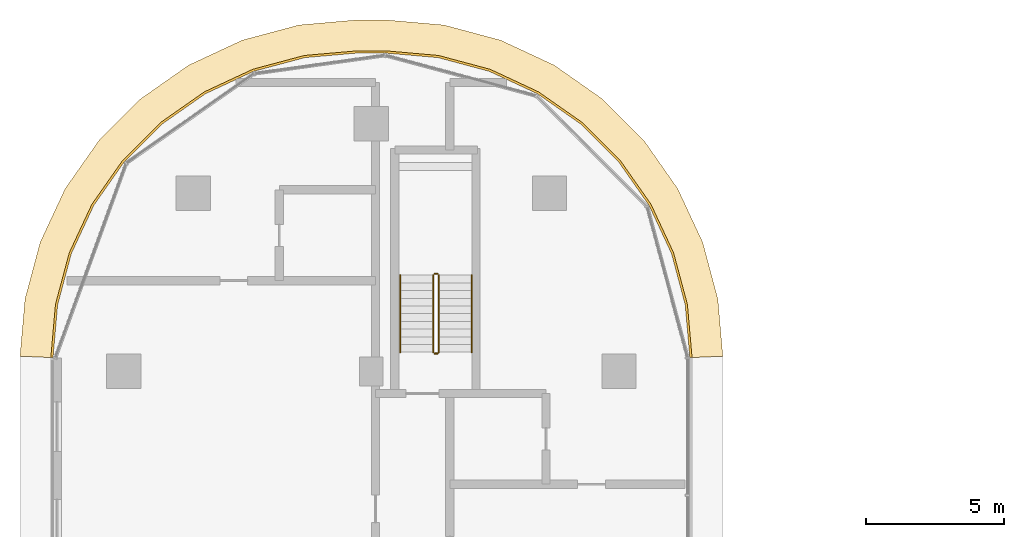
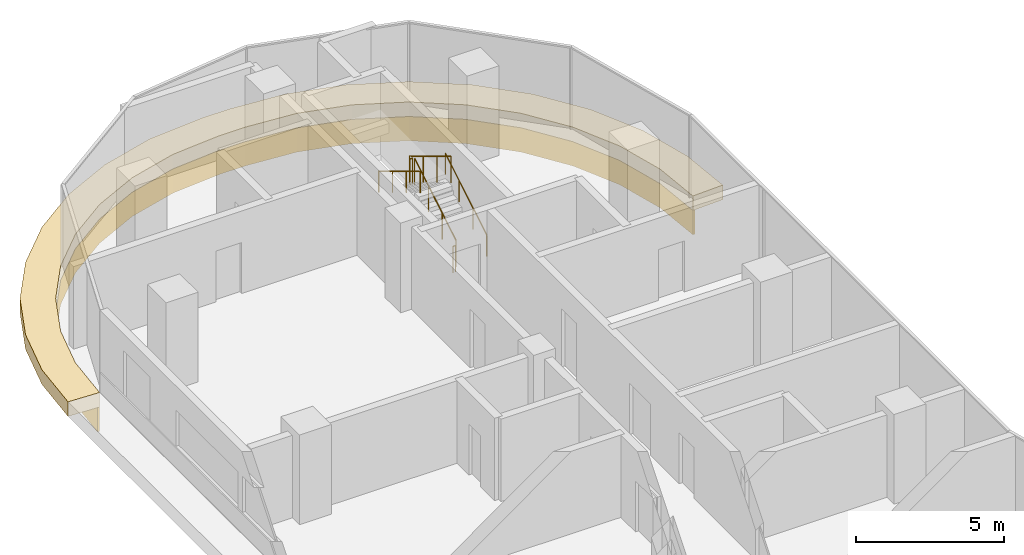
# One storey, part 24 of 25: 6 railings, 2 coverings.
"""IFC4 building model written with IfcOpenShell, lengths in metres."""

from ifc_helpers import new_model, si_unit, direction, frame, origin, origin_2d, place, context, subcontext, project, spatial, polyline, circle, outline, extrude, material, layer, layer_set, type_object, element, save


model = new_model("IFC4")

# Units and contexts
model_context = context("Model", 3, precision=1e-05, world=origin(), true_north=direction((0.0, 1.0)))
body_context = subcontext(model_context, "Body", "Model", "MODEL_VIEW")
ifc_project = project(units=[si_unit("LENGTHUNIT", "METRE"), si_unit("AREAUNIT", "SQUARE_METRE"), si_unit("VOLUMEUNIT", "CUBIC_METRE"), si_unit("PLANEANGLEUNIT", "RADIAN"), si_unit("MASSUNIT", "GRAM", prefix="KILO")], contexts=[model_context])

# Site, building, storey
site_placement = place(None, origin())
site = spatial("IfcSite", under=ifc_project, at=site_placement, CompositionType="ELEMENT")
building_placement = place(site_placement, origin())
building = spatial("IfcBuilding", under=site, at=building_placement, Name="Ogive Portal Towers", CompositionType="ELEMENT")
storey_placement = place(building_placement, frame((0.0, 0.0, 116.699951171875)))
storey = spatial("IfcBuildingStorey", under=building, at=storey_placement, Name="L28", CompositionType="ELEMENT", Elevation=116.699951171875)

# Railings
ifc_material_1 = material(Name="Stainless steel balustrade", Category="steel")
railing_type_1 = type_object("IfcRailingType", Name="INT-GUARD", PredefinedType="GUARDRAIL", material=ifc_material_1)
railing_1_placement = place(storey_placement, frame((42.949951171875, 67.199951171875, 0.168212890625)))
element("IfcRailing", 1, at=railing_1_placement, inside=storey, type_object=railing_type_1, Name="L28 ST-A3 stair guard 1", PredefinedType="GUARDRAIL", context=body_context, shape_type="SweptSolid", body=[
    extrude(circle(Radius=0.02392578125, at=origin_2d()), frame((0.0, 0.0, 1.076171875), z_axis=(0.0, 0.857242210791, 0.514913383045), x_axis=(-1.0, 0.0, 0.0)), (0.0, 0.0, 1.0), 3.266357421875),
    extrude(circle(Radius=0.02099609375, at=origin_2d()), origin(), (0.0, 0.0, 1.0), 1.052001953125),
    extrude(circle(Radius=0.02099609375, at=origin_2d()), frame((0.0, 0.933349609375, 0.560546875)), (0.0, 0.0, 1.0), 1.052001953125),
    extrude(circle(Radius=0.02099609375, at=origin_2d()), frame((0.0, 1.86669921875, 1.121337890625)), (0.0, 0.0, 1.0), 1.052001953125),
    extrude(circle(Radius=0.02099609375, at=origin_2d()), frame((0.0, 2.800048828125, 1.681884765625)), (0.0, 0.0, 1.0), 1.052001953125),
])
railing_2_placement = place(storey_placement, frame((42.89990234375, 70.050048828125, 1.85009765625)))
element("IfcRailing", 2, at=railing_2_placement, inside=storey, type_object=railing_type_1, Name="L28 ST-A3 stair guard 2", PredefinedType="GUARDRAIL", context=body_context, shape_type="SweptSolid", body=[
    extrude(circle(Radius=0.02392578125, at=origin_2d()), frame((0.0, 0.0, 1.076171875), z_axis=(-1.0, 0.0, 0.0), x_axis=(0.0, -1.0, 0.0)), (0.0, 0.0, 1.0), 0.099853515625),
    extrude(circle(Radius=0.02099609375, at=origin_2d()), origin(), (0.0, 0.0, 1.0), 1.052001953125),
    extrude(circle(Radius=0.02099609375, at=origin_2d()), frame((-0.099853515625, 0.0, 0.0)), (0.0, 0.0, 1.0), 1.052001953125),
])
railing_3_placement = place(storey_placement, frame((42.75, 70.0, 2.018310546875)))
element("IfcRailing", 3, at=railing_3_placement, inside=storey, type_object=railing_type_1, Name="L28 ST-A3 stair guard 3", PredefinedType="GUARDRAIL", context=body_context, shape_type="SweptSolid", body=[
    extrude(circle(Radius=0.02392578125, at=origin_2d()), frame((0.0, 0.0, 1.076171875), z_axis=(0.0, -0.857275202839, 0.514858452973), x_axis=(1.0, 0.0, 0.0)), (0.0, 0.0, 1.0), 3.26611328125),
    extrude(circle(Radius=0.02099609375, at=origin_2d()), origin(), (0.0, 0.0, 1.0), 1.052001953125),
    extrude(circle(Radius=0.02099609375, at=origin_2d()), frame((0.0, -0.933349609375, 0.560546875)), (0.0, 0.0, 1.0), 1.052001953125),
    extrude(circle(Radius=0.02099609375, at=origin_2d()), frame((0.0, -1.86669921875, 1.12109375)), (0.0, 0.0, 1.0), 1.052001953125),
    extrude(circle(Radius=0.02099609375, at=origin_2d()), frame((0.0, -2.800048828125, 1.681640625)), (0.0, 0.0, 1.0), 1.052001953125),
])
railing_4_placement = place(storey_placement, frame((42.89990234375, 67.14990234375, 0.0)))
element("IfcRailing", 4, at=railing_4_placement, inside=storey, type_object=railing_type_1, Name="L28 ST-A3 stair guard 4", PredefinedType="GUARDRAIL", context=body_context, shape_type="SweptSolid", body=[
    extrude(circle(Radius=0.02392578125, at=origin_2d()), frame((0.0, 0.0, 1.076171875), z_axis=(-1.0, 0.0, 0.0), x_axis=(0.0, -1.0, 0.0)), (0.0, 0.0, 1.0), 0.099853515625),
    extrude(circle(Radius=0.02099609375, at=origin_2d()), origin(), (0.0, 0.0, 1.0), 1.052001953125),
    extrude(circle(Radius=0.02099609375, at=origin_2d()), frame((-0.099853515625, 0.0, 0.0)), (0.0, 0.0, 1.0), 1.052001953125),
])
ifc_material_2 = material(Name="Stainless steel handrail", Category="steel")
railing_type_2 = type_object("IfcRailingType", Name="INT-HANDRAIL", PredefinedType="HANDRAIL", material=ifc_material_2)
railing_5_placement = place(storey_placement, frame((44.14990234375, 67.199951171875, 0.168212890625)))
element("IfcRailing", 5, at=railing_5_placement, inside=storey, type_object=railing_type_2, Name="L28 ST-A3 stair handrail 1", PredefinedType="HANDRAIL", context=body_context, shape_type="SweptSolid", body=[
    extrude(circle(Radius=0.02392578125, at=origin_2d()), frame((0.0, 0.0, 0.8759765625), z_axis=(0.0, 0.857242210791, 0.514913383045), x_axis=(-1.0, 0.0, 0.0)), (0.0, 0.0, 1.0), 3.266357421875),
    extrude(circle(Radius=0.02099609375, at=origin_2d()), origin(), (0.0, 0.0, 1.0), 0.851806640625),
    extrude(circle(Radius=0.02099609375, at=origin_2d()), frame((0.0, 0.933349609375, 0.560546875)), (0.0, 0.0, 1.0), 0.851806640625),
    extrude(circle(Radius=0.02099609375, at=origin_2d()), frame((0.0, 1.86669921875, 1.121337890625)), (0.0, 0.0, 1.0), 0.851806640625),
    extrude(circle(Radius=0.02099609375, at=origin_2d()), frame((0.0, 2.800048828125, 1.681884765625)), (0.0, 0.0, 1.0), 0.851806640625),
])
railing_6_placement = place(storey_placement, frame((41.550048828125, 70.0, 2.018310546875)))
element("IfcRailing", 6, at=railing_6_placement, inside=storey, type_object=railing_type_2, Name="L28 ST-A3 stair handrail 2", PredefinedType="HANDRAIL", context=body_context, shape_type="SweptSolid", body=[
    extrude(circle(Radius=0.02392578125, at=origin_2d()), frame((0.0, 0.0, 0.8759765625), z_axis=(0.0, -0.857275202839, 0.514858452973), x_axis=(1.0, 0.0, 0.0)), (0.0, 0.0, 1.0), 3.26611328125),
    extrude(circle(Radius=0.02099609375, at=origin_2d()), origin(), (0.0, 0.0, 1.0), 0.851806640625),
    extrude(circle(Radius=0.02099609375, at=origin_2d()), frame((0.0, -0.933349609375, 0.560546875)), (0.0, 0.0, 1.0), 0.851806640625),
    extrude(circle(Radius=0.02099609375, at=origin_2d()), frame((0.0, -1.86669921875, 1.12109375)), (0.0, 0.0, 1.0), 0.851806640625),
    extrude(circle(Radius=0.02099609375, at=origin_2d()), frame((0.0, -2.800048828125, 1.681640625)), (0.0, 0.0, 1.0), 0.851806640625),
])

# Coverings
ifc_material_3 = material(Name="Limestone cladding on lightweight block wall", Category="masonry")
ifc_layer_1 = layer(ifc_material_3, 0.080078125)
ifc_layer_set_1 = layer_set([ifc_layer_1], Name="STONE SPANDREL 80")
covering_type_1 = type_object("IfcCoveringType", Name="STONE SPANDREL 80", PredefinedType="CLADDING", material=ifc_layer_set_1)
covering_1_placement = place(storey_placement, frame((0.0, 0.0, -1.599853515625)))
element("IfcCovering", 7, at=covering_1_placement, inside=storey, type_object=covering_type_1, Name="Stone spandrel A1-F12", PredefinedType="CLADDING", context=body_context, shape_type="SweptSolid", body=[
    extrude(outline(polyline([(52.074951171875, 67.0), (51.90673828125, 68.923095703125), (51.406982421875, 70.787841796875), (50.59130859375, 72.53759765625), (49.48388671875, 74.118896484375), (48.118896484375, 75.48388671875), (46.53759765625, 76.59130859375), (44.787841796875, 77.406982421875), (42.923095703125, 77.90673828125), (41.0, 78.074951171875), (40.0, 78.074951171875), (38.076904296875, 77.90673828125), (36.212158203125, 77.406982421875), (34.46240234375, 76.59130859375), (32.881103515625, 75.48388671875), (31.51611328125, 74.118896484375), (30.40869140625, 72.53759765625), (29.593017578125, 70.787841796875), (29.09326171875, 68.923095703125), (28.925048828125, 67.0), (28.844970703125, 67.00341796875), (29.01416015625, 68.93701171875), (29.517333984375, 70.8154296875), (30.339111328125, 72.57763671875), (31.45458984375, 74.17041015625), (32.82958984375, 75.54541015625), (34.42236328125, 76.660888671875), (36.1845703125, 77.482666015625), (38.06298828125, 77.98583984375), (39.99658203125, 78.155029296875), (41.00341796875, 78.155029296875), (42.93701171875, 77.98583984375), (44.8154296875, 77.482666015625), (46.57763671875, 76.660888671875), (48.17041015625, 75.54541015625), (49.54541015625, 74.17041015625), (50.660888671875, 72.57763671875), (51.482666015625, 70.8154296875), (51.98583984375, 68.93701171875), (52.155029296875, 67.00341796875), (52.074951171875, 67.0)])), origin(), (0.0, 0.0, 1.0), 1.0),
])
ifc_layer_2 = layer(ifc_material_3, 0.60009765625)
ifc_layer_set_2 = layer_set([ifc_layer_2], Name="SUNSHADE LIP 600")
covering_type_2 = type_object("IfcCoveringType", Name="SUNSHADE LIP 600", PredefinedType="CLADDING", material=ifc_layer_set_2)
covering_2_placement = place(storey_placement, frame((0.0, 0.0, -0.599853515625)))
element("IfcCovering", 8, at=covering_2_placement, inside=storey, type_object=covering_type_2, Name="Sunshade lip A1-F12", PredefinedType="CLADDING", context=body_context, shape_type="SweptSolid", body=[
    extrude(outline(polyline([(52.074951171875, 67.0), (51.90673828125, 68.923095703125), (51.406982421875, 70.787841796875), (50.59130859375, 72.53759765625), (49.48388671875, 74.118896484375), (48.118896484375, 75.48388671875), (46.53759765625, 76.59130859375), (44.787841796875, 77.406982421875), (42.923095703125, 77.90673828125), (41.0, 78.074951171875), (40.0, 78.074951171875), (38.076904296875, 77.90673828125), (36.212158203125, 77.406982421875), (34.46240234375, 76.59130859375), (32.881103515625, 75.48388671875), (31.51611328125, 74.118896484375), (30.40869140625, 72.53759765625), (29.593017578125, 70.787841796875), (29.09326171875, 68.923095703125), (28.925048828125, 67.0), (27.72509765625, 67.052490234375), (27.906982421875, 69.13232421875), (28.4609375, 71.199951171875), (29.365478515625, 73.139892578125), (30.59326171875, 74.89306640625), (32.10693359375, 76.40673828125), (33.860107421875, 77.634521484375), (35.800048828125, 78.5390625), (37.86767578125, 79.093017578125), (39.947509765625, 79.27490234375), (41.052490234375, 79.27490234375), (43.13232421875, 79.093017578125), (45.199951171875, 78.5390625), (47.139892578125, 77.634521484375), (48.89306640625, 76.40673828125), (50.40673828125, 74.89306640625), (51.634521484375, 73.139892578125), (52.5390625, 71.199951171875), (53.093017578125, 69.13232421875), (53.27490234375, 67.052490234375), (52.074951171875, 67.0)])), origin(), (0.0, 0.0, 1.0), 0.599853515625),
])

save(model, "model.ifc")
